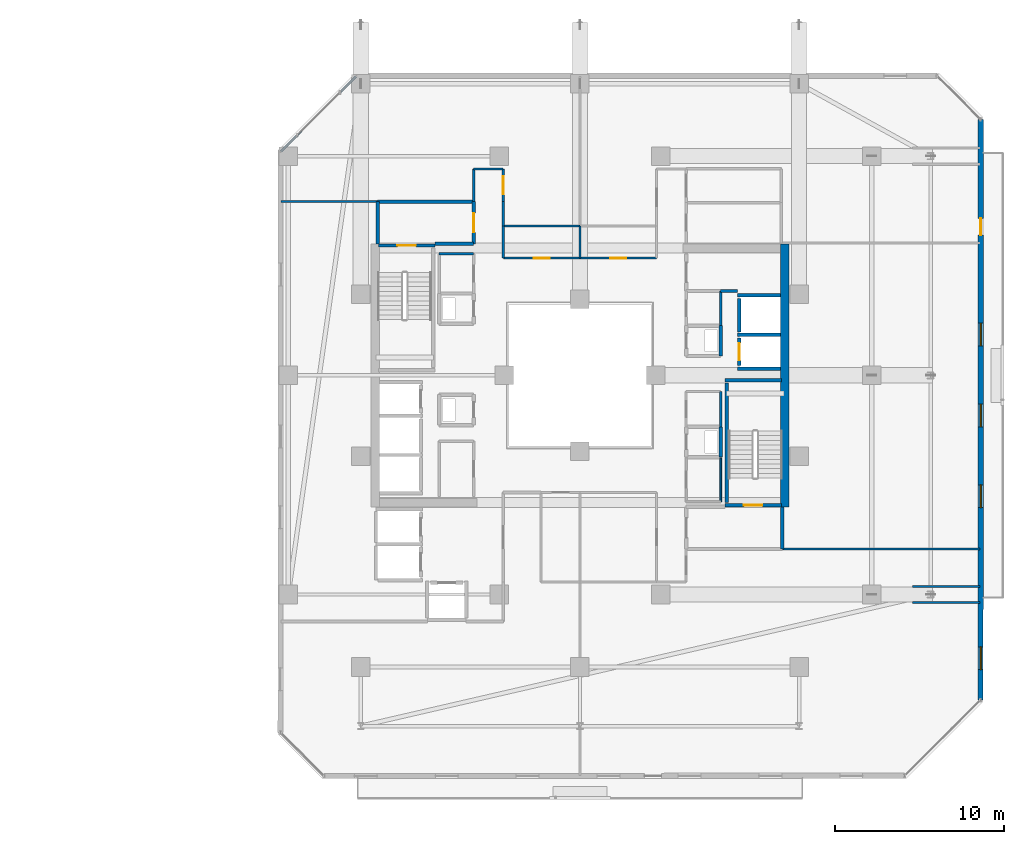
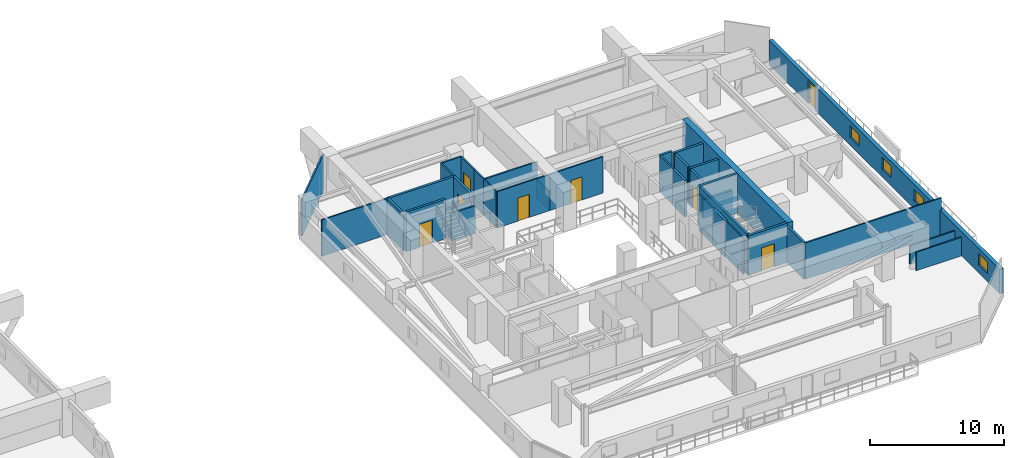
# One storey, part 26 of 35: 37 walls, 8 doors, 4 windows, 12 openings.
"""IFC4 building model written with IfcOpenShell, lengths in metres."""

from ifc_helpers import new_model, si_unit, direction, frame, frame_2d, origin, place, context, subcontext, project, spatial, rectangle, extrude, material, layer, layer_set, type_object, element, fill, save


model = new_model("IFC4")

# Units and contexts
model_context = context("Model", 3, precision=1e-05, world=origin(), true_north=direction((0.0, 1.0)))
body_context = subcontext(model_context, "Body", "Model", "MODEL_VIEW")
ifc_project = project(units=[si_unit("LENGTHUNIT", "METRE"), si_unit("AREAUNIT", "SQUARE_METRE"), si_unit("VOLUMEUNIT", "CUBIC_METRE"), si_unit("PLANEANGLEUNIT", "RADIAN"), si_unit("MASSUNIT", "GRAM", prefix="KILO")], contexts=[model_context])

# Site, building, storey
site_placement = place(None, origin())
site = spatial("IfcSite", under=ifc_project, at=site_placement, CompositionType="ELEMENT")
building_placement = place(site_placement, origin())
building = spatial("IfcBuilding", under=site, at=building_placement, Name="Thornwick Lancets Civic Towers", CompositionType="ELEMENT")
storey_placement = place(building_placement, frame((0.0, 0.0, 145.5)))
storey = spatial("IfcBuildingStorey", under=building, at=storey_placement, Name="L38", CompositionType="ELEMENT", Elevation=145.5)

# Wall, opening, door
ifc_material_1 = material(Name="Concrete blockwork C40/50", Category="masonry")
ifc_layer_1 = layer(ifc_material_1, 0.199951171875, Name="Concrete blockwork C40/50")
ifc_layer_set_1 = layer_set([ifc_layer_1], Name="Concrete blockwork C40/50")
wall_type_1 = type_object("IfcWallType", Name="WALL_COMP_200", PredefinedType="STANDARD", material=ifc_layer_set_1)
wall_1_placement = place(storey_placement, frame((97.949951171875, 29.219970703125, 0.0), z_axis=(0.0, 0.0, 1.0), x_axis=(0.0, -1.0, 0.0)))
wall_1 = element("IfcWall", 1, at=wall_1_placement, inside=storey, type_object=wall_type_1, Name="L38 Hoistway Front Wall FL-B1", PredefinedType="STANDARD", context=body_context, shape_type="SweptSolid", body=[
    extrude(rectangle(XDim=1.639892578125, YDim=0.199951171875, at=frame_2d((0.81982421875, 0.0))), origin(), (0.0, 0.0, 1.0), 3.300048828125),
])
opening_1_placement = place(wall_1_placement, frame((0.31005859375, 0.0, 0.0)))
opening_1 = element("IfcOpeningElement", 2, at=opening_1_placement, cuts=wall_1, Name="Opening LD-FL-B1", PredefinedType="OPENING", context=body_context, shape_type="SweptSolid", body=[
    extrude(rectangle(XDim=1.02001953125, YDim=2.06005859375, at=frame_2d((0.510009765625, 1.030029296875))), frame((0.0, 0.10986328125, 0.0), z_axis=(0.0, -1.0, 0.0), x_axis=(1.0, 0.0, 0.0)), (0.0, 0.0, 1.0), 0.219970703125),
])
ifc_material_2 = material(Name="Brushed bronze stainless steel", Category="steel")
door_type_1 = type_object("IfcDoorType", Name="DOOR_LIFT_SLIDE", OperationType="SLIDING_TO_LEFT", PredefinedType="DOOR", material=ifc_material_2)
door_1_placement = place(opening_1_placement, origin())
door_1 = element("IfcDoor", 3, at=door_1_placement, inside=storey, type_object=door_type_1, Name="L38 Sliding Lift Landing Door LD-FL-B1", OperationType="SLIDING_TO_LEFT", OverallHeight=2.06005859375, OverallWidth=1.02001953125, PredefinedType="DOOR", context=body_context, shape_type="SweptSolid", body=[
    extrude(rectangle(XDim=1.02001953125, YDim=2.06005859375, at=frame_2d((0.510009765625, 1.030029296875))), frame((0.0, 0.02490234375, 0.0), z_axis=(0.0, -1.0, 0.0), x_axis=(1.0, 0.0, 0.0)), (0.0, 0.0, 1.0), 0.050048828125),
])
fill(opening_1, door_1)

# Walls
wall_2_placement = place(storey_placement, frame((97.949951171875, 31.570068359375, 0.0), z_axis=(0.0, 0.0, 1.0), x_axis=(0.0, -1.0, 0.0)))
element("IfcWall", 4, at=wall_2_placement, inside=storey, type_object=wall_type_1, Name="L38 Hoistway Front Wall PL-BH1", PredefinedType="STANDARD", context=body_context, shape_type="SweptSolid", body=[
    extrude(rectangle(XDim=1.989990234375, YDim=0.199951171875, at=frame_2d((0.9951171875, 0.0))), origin(), (0.0, 0.0, 1.0), 3.300048828125),
])
wall_3_placement = place(storey_placement, frame((97.85205078125, 29.39990234375, 0.0), z_axis=(0.0, 0.0, 1.0), x_axis=(1.0, 0.0, 0.0)))
element("IfcWall", 5, at=wall_3_placement, inside=storey, type_object=wall_type_1, Name="L38 Hoistway Shaft Wall FL-B1 N", PredefinedType="STANDARD", context=body_context, shape_type="SweptSolid", body=[
    extrude(rectangle(XDim=2.535888671875, YDim=0.199951171875, at=frame_2d((1.26806640625, 0.0))), origin(), (0.0, 0.0, 1.0), 3.300048828125),
])
wall_4_placement = place(storey_placement, frame((97.85205078125, 27.39990234375, 0.0), z_axis=(0.0, 0.0, 1.0), x_axis=(1.0, 0.0, 0.0)))
element("IfcWall", 6, at=wall_4_placement, inside=storey, type_object=wall_type_1, Name="L38 Hoistway Shaft Wall FL-B1 S", PredefinedType="STANDARD", context=body_context, shape_type="SweptSolid", body=[
    extrude(rectangle(XDim=2.535888671875, YDim=0.199951171875, at=frame_2d((1.26806640625, 0.0))), origin(), (0.0, 0.0, 1.0), 1.68505859375),
])
wall_5_placement = place(storey_placement, frame((97.85205078125, 31.75, 0.0), z_axis=(0.0, 0.0, 1.0), x_axis=(1.0, 0.0, 0.0)))
element("IfcWall", 7, at=wall_5_placement, inside=storey, type_object=wall_type_1, Name="L38 Hoistway Shaft Wall PL-BH1 N", PredefinedType="STANDARD", context=body_context, shape_type="SweptSolid", body=[
    extrude(rectangle(XDim=2.535888671875, YDim=0.199951171875, at=frame_2d((1.26806640625, 0.0))), origin(), (0.0, 0.0, 1.0), 3.300048828125),
])
wall_6_placement = place(storey_placement, frame((100.5, 16.699951171875, 0.0), z_axis=(0.0, 0.0, 1.0), x_axis=(0.0, 1.0, 0.0)))
element("IfcWall", 8, at=wall_6_placement, inside=storey, type_object=wall_type_1, Name="L38 Partition L38-B-FFLOB1 E2", PredefinedType="STANDARD", context=body_context, shape_type="SweptSolid", body=[
    extrude(rectangle(XDim=2.5, YDim=0.199951171875, at=frame_2d((1.25, 0.0))), origin(), (0.0, 0.0, 1.0), 3.300048828125),
])
wall_7_placement = place(storey_placement, frame((79.89990234375, 34.800048828125, 0.0), z_axis=(0.0, 0.0, 1.0), x_axis=(1.0, 0.0, 0.0)))
element("IfcWall", 9, at=wall_7_placement, inside=storey, type_object=wall_type_1, Name="L38 Partition L38-B-FFLOB2 E1", PredefinedType="STANDARD", context=body_context, shape_type="SweptSolid", body=[
    extrude(rectangle(XDim=2.300048828125, YDim=0.199951171875, at=frame_2d((1.14990234375, 0.0))), origin(), (0.0, 0.0, 1.0), 2.5048828125),
])

# Wall, opening, door
wall_8_placement = place(storey_placement, frame((82.199951171875, 34.800048828125, 0.0), z_axis=(0.0, 0.0, 1.0), x_axis=(0.0, 1.0, 0.0)))
wall_8 = element("IfcWall", 10, at=wall_8_placement, inside=storey, type_object=wall_type_1, Name="L38 Partition L38-B-FFLOB2 E2", PredefinedType="STANDARD", context=body_context, shape_type="SweptSolid", body=[
    extrude(rectangle(XDim=2.5, YDim=0.199951171875, at=frame_2d((1.25, 0.0))), origin(), (0.0, 0.0, 1.0), 3.300048828125),
])
opening_2_placement = place(wall_8_placement, frame((0.675048828125, 0.0, 0.0)))
opening_2 = element("IfcOpeningElement", 11, at=opening_2_placement, cuts=wall_8, Name="Opening D-L38-1720", PredefinedType="OPENING", context=body_context, shape_type="SweptSolid", body=[
    extrude(rectangle(XDim=1.14990234375, YDim=2.10009765625, at=frame_2d((0.574951171875, 1.050048828125))), frame((0.0, 0.10986328125, 0.0), z_axis=(0.0, -1.0, 0.0), x_axis=(1.0, 0.0, 0.0)), (0.0, 0.0, 1.0), 0.219970703125),
])
ifc_material_3 = material(Name="Glazed fire-resisting steel", Category="steel")
door_type_2 = type_object("IfcDoorType", Name="DOOR_LOBBY_FD60", OperationType="NOTDEFINED", PredefinedType="DOOR", material=ifc_material_3)
door_2_placement = place(opening_2_placement, origin())
door_2 = element("IfcDoor", 12, at=door_2_placement, inside=storey, type_object=door_type_2, Name="L38 West Firefighting Lobby 2 Door", OperationType="SINGLE_SWING_LEFT", OverallHeight=2.10009765625, OverallWidth=1.14990234375, PredefinedType="DOOR", context=body_context, shape_type="SweptSolid", body=[
    extrude(rectangle(XDim=1.14990234375, YDim=2.10009765625, at=frame_2d((0.574951171875, 1.050048828125))), frame((0.0, 0.02490234375, 0.0), z_axis=(0.0, -1.0, 0.0), x_axis=(1.0, 0.0, 0.0)), (0.0, 0.0, 1.0), 0.050048828125),
])
fill(opening_2, door_2)

# Walls
wall_9_placement = place(storey_placement, frame((82.199951171875, 37.300048828125, 0.0), z_axis=(0.0, 0.0, 1.0), x_axis=(-1.0, 0.0, 0.0)))
element("IfcWall", 13, at=wall_9_placement, inside=storey, type_object=wall_type_1, Name="L38 Partition L38-B-FFLOB2 E3", PredefinedType="STANDARD", context=body_context, shape_type="SweptSolid", body=[
    extrude(rectangle(XDim=5.699951171875, YDim=0.199951171875, at=frame_2d((2.85009765625, 0.0))), origin(), (0.0, 0.0, 1.0), 3.300048828125),
])
wall_10_placement = place(storey_placement, frame((76.5, 37.300048828125, 0.0), z_axis=(0.0, 0.0, 1.0), x_axis=(0.0, -1.0, 0.0)))
element("IfcWall", 14, at=wall_10_placement, inside=storey, type_object=wall_type_1, Name="L38 Partition L38-B-FFLOB2 E4", PredefinedType="STANDARD", context=body_context, shape_type="SweptSolid", body=[
    extrude(rectangle(XDim=2.5, YDim=0.199951171875, at=frame_2d((1.25, 0.0))), origin(), (0.0, 0.0, 1.0), 3.300048828125),
])
for number, where, z_axis, x_axis, name in (
    (15, (96.85009765625, 28.14990234375, 0.0), (0.0, 0.0, 1.0), (0.0, 1.0, 0.0), "L38 Partition L38-B-DUCT1 E2"),
    (16, (96.85009765625, 22.14990234375, 0.0), (0.0, 0.0, 1.0), (0.0, 1.0, 0.0), "L38 Partition L38-B-RISER1 E2"),
):
    element("IfcWall", number, at=place(storey_placement, frame(where, z_axis=z_axis, x_axis=x_axis)), inside=storey, type_object=wall_type_1, Name=name, PredefinedType="STANDARD", context=body_context, shape_type="SweptSolid", body=[
        extrude(rectangle(XDim=1.800048828125, YDim=0.199951171875, at=frame_2d((0.89990234375, 0.0))), origin(), (0.0, 0.0, 1.0), 3.300048828125),
    ])
wall_11_placement = place(storey_placement, frame((97.85205078125, 32.0, 0.0), z_axis=(0.0, 0.0, 1.0), x_axis=(-1.0, 0.0, 0.0)))
element("IfcWall", 17, at=wall_11_placement, inside=storey, type_object=wall_type_1, Name="L38 Partition L38-B-STR2 E4", PredefinedType="STANDARD", context=body_context, shape_type="SweptSolid", body=[
    extrude(rectangle(XDim=1.001953125, YDim=0.199951171875, at=frame_2d((0.5009765625, 0.0))), origin(), (0.0, 0.0, 1.0), 3.300048828125),
])
ifc_material_4 = material(Name="Concrete C50/60", Category="concrete")
ifc_layer_2 = layer(ifc_material_4, 0.5, Name="Concrete C50/60")
ifc_layer_set_2 = layer_set([ifc_layer_2], Name="Concrete C50/60")
wall_type_2 = type_object("IfcWallType", Name="WALL_CORE_500", PredefinedType="SHEAR", material=ifc_layer_set_2)
wall_12_placement = place(storey_placement, frame((100.64990234375, 19.199951171875, 0.0), z_axis=(0.0, 0.0, 1.0), x_axis=(0.0, 1.0, 0.0)))
element("IfcWall", 18, at=wall_12_placement, inside=storey, type_object=wall_type_2, Name="L38 Split Core B1 Shear Wall E", PredefinedType="SHEAR", context=body_context, shape_type="SweptSolid", body=[
    extrude(rectangle(XDim=15.60009765625, YDim=0.5, at=frame_2d((7.800048828125, 0.0))), origin(), (0.0, 0.0, 1.0), 3.60009765625),
])

# Wall, openings, door, windows
ifc_material_5 = material(Name="Insulated buff terracotta rainscreen on concrete C40/50", Category="masonry")
ifc_layer_3 = layer(ifc_material_5, 0.320068359375, Name="Insulated buff terracotta rainscreen on concrete C40/50")
ifc_layer_set_3 = layer_set([ifc_layer_3], Name="Insulated buff terracotta rainscreen on concrete C40/50")
wall_type_3 = type_object("IfcWallType", Name="WALL_EXT_TERRA_320", PredefinedType="STANDARD", material=ifc_layer_set_3)
wall_13_placement = place(storey_placement, frame((112.25830078125, 7.7490234375, 0.0), z_axis=(0.0, 0.0, 1.0), x_axis=(0.000184351399, 0.999999983007, 0.0)))
wall_13 = element("IfcWall", 19, at=wall_13_placement, inside=storey, type_object=wall_type_3, Name="L38 Tower B Terracotta Facade Wall E2", PredefinedType="STANDARD", context=body_context, shape_type="SweptSolid", body=[
    extrude(rectangle(XDim=34.432373046875, YDim=0.320068359375, at=frame_2d((17.21630859375, 0.0))), origin(), (0.0, 0.0, 1.0), 2.219970703125),
])
opening_3_placement = place(wall_13_placement, frame((27.566162109375, 0.0, 0.0)))
opening_3 = element("IfcOpeningElement", 20, at=opening_3_placement, cuts=wall_13, Name="Opening D-BL-L38-BE", PredefinedType="OPENING", context=body_context, shape_type="SweptSolid", body=[
    extrude(rectangle(XDim=1.0, YDim=2.080078125, at=frame_2d((0.5, 1.0400390625))), frame((0.0, 0.169921875, 0.0), z_axis=(0.0, -1.0, 0.0), x_axis=(1.0, 0.0, 0.0)), (0.0, 0.0, 1.0), 0.340087890625),
])
opening_4_placement = place(wall_13_placement, frame((1.800048828125, 0.0, 0.719970703125)))
opening_4 = element("IfcOpeningElement", 21, at=opening_4_placement, cuts=wall_13, Name="Opening WL-03", PredefinedType="OPENING", context=body_context, shape_type="SweptSolid", body=[
    extrude(rectangle(XDim=1.35009765625, YDim=1.050048828125, at=frame_2d((0.675048828125, 0.52490234375))), frame((0.0, 0.169921875, 0.0), z_axis=(0.0, -1.0, 0.0), x_axis=(1.0, 0.0, 0.0)), (0.0, 0.0, 1.0), 0.340087890625),
])
opening_5_placement = place(wall_13_placement, frame((11.39990234375, 0.0, 0.719970703125)))
opening_5 = element("IfcOpeningElement", 22, at=opening_5_placement, cuts=wall_13, Name="Opening WL-03", PredefinedType="OPENING", context=body_context, shape_type="SweptSolid", body=[
    extrude(rectangle(XDim=1.35009765625, YDim=1.050048828125, at=frame_2d((0.675048828125, 0.52490234375))), frame((0.0, 0.169921875, 0.0), z_axis=(0.0, -1.0, 0.0), x_axis=(1.0, 0.0, 0.0)), (0.0, 0.0, 1.0), 0.340087890625),
])
opening_6_placement = place(wall_13_placement, frame((16.199951171875, 0.0, 0.719970703125)))
opening_6 = element("IfcOpeningElement", 23, at=opening_6_placement, cuts=wall_13, Name="Opening WL-03", PredefinedType="OPENING", context=body_context, shape_type="SweptSolid", body=[
    extrude(rectangle(XDim=1.35009765625, YDim=1.050048828125, at=frame_2d((0.675048828125, 0.52490234375))), frame((0.0, 0.169921875, 0.0), z_axis=(0.0, -1.0, 0.0), x_axis=(1.0, 0.0, 0.0)), (0.0, 0.0, 1.0), 0.340087890625),
])
opening_7_placement = place(wall_13_placement, frame((21.0, 0.0, 0.719970703125)))
opening_7 = element("IfcOpeningElement", 24, at=opening_7_placement, cuts=wall_13, Name="Opening WL-03", PredefinedType="OPENING", context=body_context, shape_type="SweptSolid", body=[
    extrude(rectangle(XDim=1.35009765625, YDim=1.050048828125, at=frame_2d((0.675048828125, 0.52490234375))), frame((0.0, 0.169921875, 0.0), z_axis=(0.0, -1.0, 0.0), x_axis=(1.0, 0.0, 0.0)), (0.0, 0.0, 1.0), 0.340087890625),
])
ifc_material_6 = material(Name="Thermally broken glazed loggia doorset")
door_type_3 = type_object("IfcDoorType", Name="DOOR_BALC_1000", OperationType="NOTDEFINED", PredefinedType="DOOR", material=ifc_material_6)
door_3_placement = place(opening_3_placement, origin())
door_3 = element("IfcDoor", 25, at=door_3_placement, inside=storey, type_object=door_type_3, Name="L38 Tower B Loggia Balcony Door E", OperationType="SINGLE_SWING_LEFT", OverallHeight=2.080078125, OverallWidth=1.0, PredefinedType="DOOR", context=body_context, shape_type="SweptSolid", body=[
    extrude(rectangle(XDim=1.0, YDim=2.080078125, at=frame_2d((0.5, 1.0400390625))), frame((0.0, 0.02490234375, 0.0), z_axis=(0.0, -1.0, 0.0), x_axis=(1.0, 0.0, 0.0)), (0.0, 0.0, 1.0), 0.050048828125),
])
fill(opening_3, door_3)
ifc_material_7 = material(Name="Clear low-e double glazing clerestory lancet", Category="glass")
window_type = type_object("IfcWindowType", Name="WIN_LANCET_1350", PartitioningType="SINGLE_PANEL", PredefinedType="WINDOW", material=ifc_material_7)
window_1_placement = place(opening_4_placement, origin())
window_1 = element("IfcWindow", 26, at=window_1_placement, inside=storey, type_object=window_type, Name="L38 Tower B Staggered Lancet Window E2-1", OverallHeight=1.050048828125, OverallWidth=1.35009765625, PartitioningType="SINGLE_PANEL", PredefinedType="WINDOW", context=body_context, shape_type="SweptSolid", body=[
    extrude(rectangle(XDim=1.35009765625, YDim=1.050048828125, at=frame_2d((0.675048828125, 0.52490234375))), frame((0.0, 0.030029296875, 0.0), z_axis=(0.0, -1.0, 0.0), x_axis=(1.0, 0.0, 0.0)), (0.0, 0.0, 1.0), 0.06005859375),
])
fill(opening_4, window_1)
window_2_placement = place(opening_5_placement, origin())
window_2 = element("IfcWindow", 27, at=window_2_placement, inside=storey, type_object=window_type, Name="L38 Tower B Staggered Lancet Window E2-2", OverallHeight=1.050048828125, OverallWidth=1.35009765625, PartitioningType="SINGLE_PANEL", PredefinedType="WINDOW", context=body_context, shape_type="SweptSolid", body=[
    extrude(rectangle(XDim=1.35009765625, YDim=1.050048828125, at=frame_2d((0.675048828125, 0.52490234375))), frame((0.0, 0.030029296875, 0.0), z_axis=(0.0, -1.0, 0.0), x_axis=(1.0, 0.0, 0.0)), (0.0, 0.0, 1.0), 0.06005859375),
])
fill(opening_5, window_2)
window_3_placement = place(opening_6_placement, origin())
window_3 = element("IfcWindow", 28, at=window_3_placement, inside=storey, type_object=window_type, Name="L38 Tower B Staggered Lancet Window E2-3", OverallHeight=1.050048828125, OverallWidth=1.35009765625, PartitioningType="SINGLE_PANEL", PredefinedType="WINDOW", context=body_context, shape_type="SweptSolid", body=[
    extrude(rectangle(XDim=1.35009765625, YDim=1.050048828125, at=frame_2d((0.675048828125, 0.52490234375))), frame((0.0, 0.030029296875, 0.0), z_axis=(0.0, -1.0, 0.0), x_axis=(1.0, 0.0, 0.0)), (0.0, 0.0, 1.0), 0.06005859375),
])
fill(opening_6, window_3)
window_4_placement = place(opening_7_placement, origin())
window_4 = element("IfcWindow", 29, at=window_4_placement, inside=storey, type_object=window_type, Name="L38 Tower B Staggered Lancet Window E2-4", OverallHeight=1.050048828125, OverallWidth=1.35009765625, PartitioningType="SINGLE_PANEL", PredefinedType="WINDOW", context=body_context, shape_type="SweptSolid", body=[
    extrude(rectangle(XDim=1.35009765625, YDim=1.050048828125, at=frame_2d((0.675048828125, 0.52490234375))), frame((0.0, 0.030029296875, 0.0), z_axis=(0.0, -1.0, 0.0), x_axis=(1.0, 0.0, 0.0)), (0.0, 0.0, 1.0), 0.06005859375),
])
fill(opening_7, window_4)

# Walls
ifc_material_8 = material(Name="Lightweight cellular office partition")
ifc_layer_4 = layer(ifc_material_8, 0.10009765625, Name="Lightweight cellular office partition")
ifc_layer_set_4 = layer_set([ifc_layer_4], Name="Lightweight cellular office partition")
wall_type_4 = type_object("IfcWallType", Name="WALL_PART_100", PredefinedType="PARTITIONING", material=ifc_layer_set_4)
wall_14_placement = place(storey_placement, frame((96.85009765625, 19.5, 0.0), z_axis=(0.0, 0.0, 1.0), x_axis=(0.0, 1.0, 0.0)))
element("IfcWall", 30, at=wall_14_placement, inside=storey, type_object=wall_type_4, Name="L38 Partition L38-B-CLN E2", PredefinedType="PARTITIONING", context=body_context, shape_type="SweptSolid", body=[
    extrude(rectangle(XDim=2.60009765625, YDim=0.10009765625, at=frame_2d((1.300048828125, 0.0))), origin(), (0.0, 0.0, 1.0), 3.300048828125),
])
ifc_material_9 = material(Name="Acoustic gypsum board partition")
ifc_layer_5 = layer(ifc_material_9, 0.1201171875, Name="Acoustic gypsum board partition")
ifc_layer_set_5 = layer_set([ifc_layer_5], Name="Acoustic gypsum board partition")
wall_type_5 = type_object("IfcWallType", Name="WALL_PART_120", PredefinedType="PARTITIONING", material=ifc_layer_set_5)
wall_15_placement = place(storey_placement, frame((96.85009765625, 26.050048828125, 0.0), z_axis=(0.0, 0.0, 1.0), x_axis=(0.0, -1.0, 0.0)))
element("IfcWall", 31, at=wall_15_placement, inside=storey, type_object=wall_type_5, Name="L38 Partition L38-B-ITR E3", PredefinedType="PARTITIONING", context=body_context, shape_type="SweptSolid", body=[
    extrude(rectangle(XDim=2.10009765625, YDim=0.1201171875, at=frame_2d((1.050048828125, 0.0))), origin(), (0.0, 0.0, 1.0), 3.300048828125),
])
wall_16_placement = place(storey_placement, frame((100.5, 16.699951171875, 0.0), z_axis=(0.0, 0.0, 1.0), x_axis=(1.0, 0.0, 0.0)))
element("IfcWall", 32, at=wall_16_placement, inside=storey, type_object=wall_type_5, Name="L38 Partition L38-B-W1 E7", PredefinedType="PARTITIONING", context=body_context, shape_type="SweptSolid", body=[
    extrude(rectangle(XDim=11.719970703125, YDim=0.1201171875, at=frame_2d((5.85986328125, 0.0))), origin(), (0.0, 0.0, 1.0), 3.300048828125),
])
for number, where, z_axis, x_axis, name in (
    (33, (112.219970703125, 14.47998046875, 0.0), (0.0, 0.0, 1.0), (-1.0, 0.0, 0.0), "L38 Partition L38-B-W1 E9"),
    (34, (108.212646484375, 13.52001953125, 0.0), (0.0, 0.0, 1.0), (1.0, 0.0, 0.0), "L38 Partition L38-B-W1 E11"),
):
    element("IfcWall", number, at=place(storey_placement, frame(where, z_axis=z_axis, x_axis=x_axis)), inside=storey, type_object=wall_type_5, Name=name, PredefinedType="PARTITIONING", context=body_context, shape_type="SweptSolid", body=[
        extrude(rectangle(XDim=4.00732421875, YDim=0.1201171875, at=frame_2d((2.003662109375, 0.0))), origin(), (0.0, 0.0, 1.0), 1.68505859375),
    ])
wall_17_placement = place(storey_placement, frame((88.5, 33.949951171875, 0.0), z_axis=(0.0, 0.0, 1.0), x_axis=(0.0, 1.0, 0.0)))
element("IfcWall", 35, at=wall_17_placement, inside=storey, type_object=wall_type_5, Name="L38 Partition L38-B-E1 E1", PredefinedType="PARTITIONING", context=body_context, shape_type="SweptSolid", body=[
    extrude(rectangle(XDim=1.900146484375, YDim=0.1201171875, at=frame_2d((0.9501953125, 0.0))), origin(), (0.0, 0.0, 1.0), 1.68505859375),
])

# Wall, opening, door
wall_18_placement = place(storey_placement, frame((93.050048828125, 33.949951171875, 0.0), z_axis=(0.0, 0.0, 1.0), x_axis=(-1.0, 0.0, 0.0)))
wall_18 = element("IfcWall", 36, at=wall_18_placement, inside=storey, type_object=wall_type_5, Name="L38 Partition L38-B-E1 E4", PredefinedType="PARTITIONING", context=body_context, shape_type="SweptSolid", body=[
    extrude(rectangle(XDim=4.550048828125, YDim=0.1201171875, at=frame_2d((2.27490234375, 0.0))), origin(), (0.0, 0.0, 1.0), 3.300048828125),
])
opening_8_placement = place(wall_18_placement, frame((1.800048828125, 0.0, 0.0)))
opening_8 = element("IfcOpeningElement", 37, at=opening_8_placement, cuts=wall_18, Name="Opening D-L38-1747", PredefinedType="OPENING", context=body_context, shape_type="SweptSolid", body=[
    extrude(rectangle(XDim=0.949951171875, YDim=2.10009765625, at=frame_2d((0.47509765625, 1.050048828125))), frame((0.0, 0.070068359375, 0.0), z_axis=(0.0, -1.0, 0.0), x_axis=(1.0, 0.0, 0.0)), (0.0, 0.0, 1.0), 0.14013671875),
])
ifc_material_10 = material(Name="European oak acoustic doorset")
door_type_4 = type_object("IfcDoorType", Name="DOOR_OFFICE_950", OperationType="NOTDEFINED", PredefinedType="DOOR", material=ifc_material_10)
door_4_placement = place(opening_8_placement, origin())
door_4 = element("IfcDoor", 38, at=door_4_placement, inside=storey, type_object=door_type_4, Name="L38 Tower B Visitors Reception and Waiting Door", OperationType="SINGLE_SWING_RIGHT", OverallHeight=2.10009765625, OverallWidth=0.949951171875, PredefinedType="DOOR", context=body_context, shape_type="SweptSolid", body=[
    extrude(rectangle(XDim=0.949951171875, YDim=2.10009765625, at=frame_2d((0.47509765625, 1.050048828125))), frame((0.0, 0.02490234375, 0.0), z_axis=(0.0, -1.0, 0.0), x_axis=(1.0, 0.0, 0.0)), (0.0, 0.0, 1.0), 0.050048828125),
])
fill(opening_8, door_4)

# Walls
wall_19_placement = place(storey_placement, frame((83.949951171875, 33.949951171875, 0.0), z_axis=(0.0, 0.0, 1.0), x_axis=(0.0, 1.0, 0.0)))
element("IfcWall", 39, at=wall_19_placement, inside=storey, type_object=wall_type_5, Name="L38 Partition L38-B-E3 E1", PredefinedType="PARTITIONING", context=body_context, shape_type="SweptSolid", body=[
    extrude(rectangle(XDim=1.900146484375, YDim=0.1201171875, at=frame_2d((0.9501953125, 0.0))), origin(), (0.0, 0.0, 1.0), 3.300048828125),
])
wall_20_placement = place(storey_placement, frame((83.949951171875, 35.85009765625, 0.0), z_axis=(0.0, 0.0, 1.0), x_axis=(1.0, 0.0, 0.0)))
element("IfcWall", 40, at=wall_20_placement, inside=storey, type_object=wall_type_5, Name="L38 Partition L38-B-E3 E2", PredefinedType="PARTITIONING", context=body_context, shape_type="SweptSolid", body=[
    extrude(rectangle(XDim=4.550048828125, YDim=0.1201171875, at=frame_2d((2.27490234375, 0.0))), origin(), (0.0, 0.0, 1.0), 3.300048828125),
])

# Wall, opening, door
wall_21_placement = place(storey_placement, frame((88.5, 33.949951171875, 0.0), z_axis=(0.0, 0.0, 1.0), x_axis=(-1.0, 0.0, 0.0)))
wall_21 = element("IfcWall", 41, at=wall_21_placement, inside=storey, type_object=wall_type_5, Name="L38 Partition L38-B-E3 E4", PredefinedType="PARTITIONING", context=body_context, shape_type="SweptSolid", body=[
    extrude(rectangle(XDim=4.550048828125, YDim=0.1201171875, at=frame_2d((2.27490234375, 0.0))), origin(), (0.0, 0.0, 1.0), 3.300048828125),
])
opening_9_placement = place(wall_21_placement, frame((1.800048828125, 0.0, 0.0)))
opening_9 = element("IfcOpeningElement", 42, at=opening_9_placement, cuts=wall_21, Name="Opening D-L38-1749", PredefinedType="OPENING", context=body_context, shape_type="SweptSolid", body=[
    extrude(rectangle(XDim=0.949951171875, YDim=2.10009765625, at=frame_2d((0.47509765625, 1.050048828125))), frame((0.0, 0.070068359375, 0.0), z_axis=(0.0, -1.0, 0.0), x_axis=(1.0, 0.0, 0.0)), (0.0, 0.0, 1.0), 0.14013671875),
])
door_5_placement = place(opening_9_placement, origin())
door_5 = element("IfcDoor", 43, at=door_5_placement, inside=storey, type_object=door_type_4, Name="L38 Tower B Civic Seminar Room Door", OperationType="SINGLE_SWING_RIGHT", OverallHeight=2.10009765625, OverallWidth=0.949951171875, PredefinedType="DOOR", context=body_context, shape_type="SweptSolid", body=[
    extrude(rectangle(XDim=0.949951171875, YDim=2.10009765625, at=frame_2d((0.47509765625, 1.050048828125))), frame((0.0, 0.02490234375, 0.0), z_axis=(0.0, -1.0, 0.0), x_axis=(1.0, 0.0, 0.0)), (0.0, 0.0, 1.0), 0.050048828125),
])
fill(opening_9, door_5)

# Wall
wall_22_placement = place(storey_placement, frame((83.949951171875, 35.85009765625, 0.0), z_axis=(0.0, 0.0, 1.0), x_axis=(0.0, 1.0, 0.0)))
element("IfcWall", 44, at=wall_22_placement, inside=storey, type_object=wall_type_5, Name="L38 Partition L38-B-E4 E1", PredefinedType="PARTITIONING", context=body_context, shape_type="SweptSolid", body=[
    extrude(rectangle(XDim=1.449951171875, YDim=0.1201171875, at=frame_2d((0.72509765625, 0.0))), origin(), (0.0, 0.0, 1.0), 3.300048828125),
])

# Wall, opening, door
wall_23_placement = place(storey_placement, frame((83.949951171875, 37.300048828125, 0.0), z_axis=(0.0, 0.0, 1.0), x_axis=(0.0, 1.0, 0.0)))
wall_23 = element("IfcWall", 45, at=wall_23_placement, inside=storey, type_object=wall_type_5, Name="L38 Partition L38-B-E4 E2", PredefinedType="PARTITIONING", context=body_context, shape_type="SweptSolid", body=[
    extrude(rectangle(XDim=1.949951171875, YDim=0.1201171875, at=frame_2d((0.97509765625, 0.0))), origin(), (0.0, 0.0, 1.0), 3.300048828125),
])
opening_10_placement = place(wall_23_placement, frame((0.449951171875, 0.0, 0.0)))
opening_10 = element("IfcOpeningElement", 46, at=opening_10_placement, cuts=wall_23, Name="Opening D-L38-1750", PredefinedType="OPENING", context=body_context, shape_type="SweptSolid", body=[
    extrude(rectangle(XDim=1.050048828125, YDim=2.10009765625, at=frame_2d((0.52490234375, 1.050048828125))), frame((0.0, 0.070068359375, 0.0), z_axis=(0.0, -1.0, 0.0), x_axis=(1.0, 0.0, 0.0)), (0.0, 0.0, 1.0), 0.14013671875),
])
ifc_material_11 = material(Name="Glazed European oak executive doorset")
door_type_5 = type_object("IfcDoorType", Name="DOOR_OFFICE_1050", OperationType="NOTDEFINED", PredefinedType="DOOR", material=ifc_material_11)
door_6_placement = place(opening_10_placement, origin())
door_6 = element("IfcDoor", 47, at=door_6_placement, inside=storey, type_object=door_type_5, Name="L38 Tower B Counsel Chambers Office E4 Door", OperationType="SINGLE_SWING_LEFT", OverallHeight=2.10009765625, OverallWidth=1.050048828125, PredefinedType="DOOR", context=body_context, shape_type="SweptSolid", body=[
    extrude(rectangle(XDim=1.050048828125, YDim=2.10009765625, at=frame_2d((0.52490234375, 1.050048828125))), frame((0.0, 0.02490234375, 0.0), z_axis=(0.0, -1.0, 0.0), x_axis=(1.0, 0.0, 0.0)), (0.0, 0.0, 1.0), 0.050048828125),
])
fill(opening_10, door_6)

# Walls
wall_24_placement = place(storey_placement, frame((83.949951171875, 39.25, 0.0), z_axis=(0.0, 0.0, 1.0), x_axis=(-1.0, 0.0, 0.0)))
element("IfcWall", 48, at=wall_24_placement, inside=storey, type_object=wall_type_5, Name="L38 Partition L38-B-E4 E3", PredefinedType="PARTITIONING", context=body_context, shape_type="SweptSolid", body=[
    extrude(rectangle(XDim=1.75, YDim=0.1201171875, at=frame_2d((0.875, 0.0))), origin(), (0.0, 0.0, 1.0), 3.300048828125),
])
wall_25_placement = place(storey_placement, frame((82.199951171875, 39.25, 0.0), z_axis=(0.0, 0.0, 1.0), x_axis=(0.0, -1.0, 0.0)))
element("IfcWall", 49, at=wall_25_placement, inside=storey, type_object=wall_type_5, Name="L38 Partition L38-B-E4 E4", PredefinedType="PARTITIONING", context=body_context, shape_type="SweptSolid", body=[
    extrude(rectangle(XDim=1.949951171875, YDim=0.1201171875, at=frame_2d((0.97509765625, 0.0))), origin(), (0.0, 0.0, 1.0), 3.300048828125),
])
wall_26_placement = place(storey_placement, frame((76.5, 37.300048828125, 0.0), z_axis=(0.0, 0.0, 1.0), x_axis=(-1.0, 0.0, 0.0)))
element("IfcWall", 50, at=wall_26_placement, inside=storey, type_object=wall_type_5, Name="L38 Partition L38-B-E4 E6", PredefinedType="PARTITIONING", context=body_context, shape_type="SweptSolid", body=[
    extrude(rectangle(XDim=5.719970703125, YDim=0.1201171875, at=frame_2d((2.85986328125, 0.0))), origin(), (0.0, 0.0, 1.0), 3.300048828125),
])
wall_27_placement = place(storey_placement, frame((70.780029296875, 40.287353515625, 0.0), z_axis=(0.0, 0.0, 1.0), x_axis=(0.707106781187, 0.707106781187, 0.0)))
element("IfcWall", 51, at=wall_27_placement, inside=storey, type_object=wall_type_5, Name="L38 Partition L38-B-E4 E8", PredefinedType="PARTITIONING", context=body_context, shape_type="SweptSolid", body=[
    extrude(rectangle(XDim=6.2685546875, YDim=0.1201171875, at=frame_2d((3.13427734375, 0.0))), origin(), (0.0, 0.0, 1.0), 3.300048828125),
])
ifc_material_12 = material(Name="Twin-stud acoustic gypsum board")
ifc_layer_6 = layer(ifc_material_12, 0.14990234375, Name="Twin-stud acoustic gypsum board")
ifc_layer_set_6 = layer_set([ifc_layer_6], Name="Twin-stud acoustic gypsum board")
wall_type_6 = type_object("IfcWallType", Name="WALL_PART_150", PredefinedType="PARTITIONING", material=ifc_layer_set_6)
wall_28_placement = place(storey_placement, frame((96.85009765625, 32.0, 0.0), z_axis=(0.0, 0.0, 1.0), x_axis=(0.0, -1.0, 0.0)))
element("IfcWall", 52, at=wall_28_placement, inside=storey, type_object=wall_type_6, Name="L38 Partition L38-B-AWC E3", PredefinedType="PARTITIONING", context=body_context, shape_type="SweptSolid", body=[
    extrude(rectangle(XDim=2.050048828125, YDim=0.14990234375, at=frame_2d((1.02490234375, 0.0))), origin(), (0.0, 0.0, 1.0), 3.300048828125),
])
wall_29_placement = place(storey_placement, frame((80.14990234375, 34.199951171875, 0.0), z_axis=(0.0, 0.0, 1.0), x_axis=(1.0, 0.0, 0.0)))
element("IfcWall", 53, at=wall_29_placement, inside=storey, type_object=wall_type_6, Name="L38 Partition L38-B-FWC E2", PredefinedType="PARTITIONING", context=body_context, shape_type="SweptSolid", body=[
    extrude(rectangle(XDim=2.050048828125, YDim=0.14990234375, at=frame_2d((1.02490234375, 0.0))), origin(), (0.0, 0.0, 1.0), 2.5048828125),
])

# Wall, opening, door
ifc_material_13 = material(Name="Concrete C40/50", Category="concrete")
ifc_layer_7 = layer(ifc_material_13, 0.199951171875, Name="Concrete C40/50")
ifc_layer_set_7 = layer_set([ifc_layer_7], Name="Concrete C40/50")
wall_type_7 = type_object("IfcWallType", Name="WALL_SHAFT_200", PredefinedType="SHEAR", material=ifc_layer_set_7)
wall_30_placement = place(storey_placement, frame((100.449951171875, 19.300048828125, 0.0), z_axis=(0.0, 0.0, 1.0), x_axis=(-1.0, 0.0, 0.0)))
wall_30 = element("IfcWall", 54, at=wall_30_placement, inside=storey, type_object=wall_type_7, Name="L38 ST-B1 Fire Stair Core Wall NEAR", PredefinedType="SHEAR", context=body_context, shape_type="SweptSolid", body=[
    extrude(rectangle(XDim=3.349853515625, YDim=0.199951171875, at=frame_2d((1.6748046875, 0.0))), origin(), (0.0, 0.0, 1.0), 3.60009765625),
])
opening_11_placement = place(wall_30_placement, frame((1.125, 0.0, 0.0)))
opening_11 = element("IfcOpeningElement", 55, at=opening_11_placement, cuts=wall_30, Name="Opening D-ST-B1-L38", PredefinedType="OPENING", context=body_context, shape_type="SweptSolid", body=[
    extrude(rectangle(XDim=1.10009765625, YDim=2.10009765625, at=frame_2d((0.550048828125, 1.050048828125))), frame((0.0, 0.10986328125, 0.0), z_axis=(0.0, -1.0, 0.0), x_axis=(1.0, 0.0, 0.0)), (0.0, 0.0, 1.0), 0.219970703125),
])
ifc_material_14 = material(Name="Fire-resisting steel and hardwood", Category="steel")
door_type_6 = type_object("IfcDoorType", Name="DOOR_STAIR_FD60", OperationType="NOTDEFINED", PredefinedType="DOOR", material=ifc_material_14)
door_7_placement = place(opening_11_placement, origin())
door_7 = element("IfcDoor", 56, at=door_7_placement, inside=storey, type_object=door_type_6, Name="L38 ST-B1 Exit Stair Door", OperationType="SINGLE_SWING_RIGHT", OverallHeight=2.10009765625, OverallWidth=1.10009765625, PredefinedType="DOOR", context=body_context, shape_type="SweptSolid", body=[
    extrude(rectangle(XDim=1.10009765625, YDim=2.10009765625, at=frame_2d((0.550048828125, 1.050048828125))), frame((0.0, 0.02490234375, 0.0), z_axis=(0.0, -1.0, 0.0), x_axis=(1.0, 0.0, 0.0)), (0.0, 0.0, 1.0), 0.050048828125),
])
fill(opening_11, door_7)

# Walls
wall_31_placement = place(storey_placement, frame((97.10009765625, 26.699951171875, 0.0), z_axis=(0.0, 0.0, 1.0), x_axis=(1.0, 0.0, 0.0)))
element("IfcWall", 57, at=wall_31_placement, inside=storey, type_object=wall_type_7, Name="L38 ST-B1 Fire Stair Core Wall FAR", PredefinedType="SHEAR", context=body_context, shape_type="SweptSolid", body=[
    extrude(rectangle(XDim=3.349853515625, YDim=0.199951171875, at=frame_2d((1.6748046875, 0.0))), origin(), (0.0, 0.0, 1.0), 3.60009765625),
])
wall_32_placement = place(storey_placement, frame((97.202880859375, 26.550048828125, 0.0), z_axis=(0.0, 0.0, 1.0), x_axis=(0.0, -1.0, 0.0)))
element("IfcWall", 58, at=wall_32_placement, inside=storey, type_object=wall_type_7, Name="L38 ST-B1 Fire Stair Core Wall RIGHT", PredefinedType="SHEAR", context=body_context, shape_type="SweptSolid", body=[
    extrude(rectangle(XDim=7.10009765625, YDim=0.199951171875, at=frame_2d((3.550048828125, 0.0))), origin(), (0.0, 0.0, 1.0), 3.60009765625),
])

# Wall, opening, door
wall_33_placement = place(storey_placement, frame((76.550048828125, 34.699951171875, 0.0), z_axis=(0.0, 0.0, 1.0), x_axis=(1.0, 0.0, 0.0)))
wall_33 = element("IfcWall", 59, at=wall_33_placement, inside=storey, type_object=wall_type_7, Name="L38 ST-B2 Fire Stair Core Wall NEAR", PredefinedType="SHEAR", context=body_context, shape_type="SweptSolid", body=[
    extrude(rectangle(XDim=3.349853515625, YDim=0.199951171875, at=frame_2d((1.6748046875, 0.0))), origin(), (0.0, 0.0, 1.0), 3.60009765625),
])
opening_12_placement = place(wall_33_placement, frame((1.125, 0.0, 0.0)))
opening_12 = element("IfcOpeningElement", 60, at=opening_12_placement, cuts=wall_33, Name="Opening D-ST-B2-L38", PredefinedType="OPENING", context=body_context, shape_type="SweptSolid", body=[
    extrude(rectangle(XDim=1.10009765625, YDim=2.10009765625, at=frame_2d((0.550048828125, 1.050048828125))), frame((0.0, 0.10986328125, 0.0), z_axis=(0.0, -1.0, 0.0), x_axis=(1.0, 0.0, 0.0)), (0.0, 0.0, 1.0), 0.219970703125),
])
door_8_placement = place(opening_12_placement, origin())
door_8 = element("IfcDoor", 61, at=door_8_placement, inside=storey, type_object=door_type_6, Name="L38 ST-B2 Exit Stair Door", OperationType="SINGLE_SWING_LEFT", OverallHeight=2.10009765625, OverallWidth=1.10009765625, PredefinedType="DOOR", context=body_context, shape_type="SweptSolid", body=[
    extrude(rectangle(XDim=1.10009765625, YDim=2.10009765625, at=frame_2d((0.550048828125, 1.050048828125))), frame((0.0, 0.02490234375, 0.0), z_axis=(0.0, -1.0, 0.0), x_axis=(1.0, 0.0, 0.0)), (0.0, 0.0, 1.0), 0.050048828125),
])
fill(opening_12, door_8)

save(model, "model.ifc")
